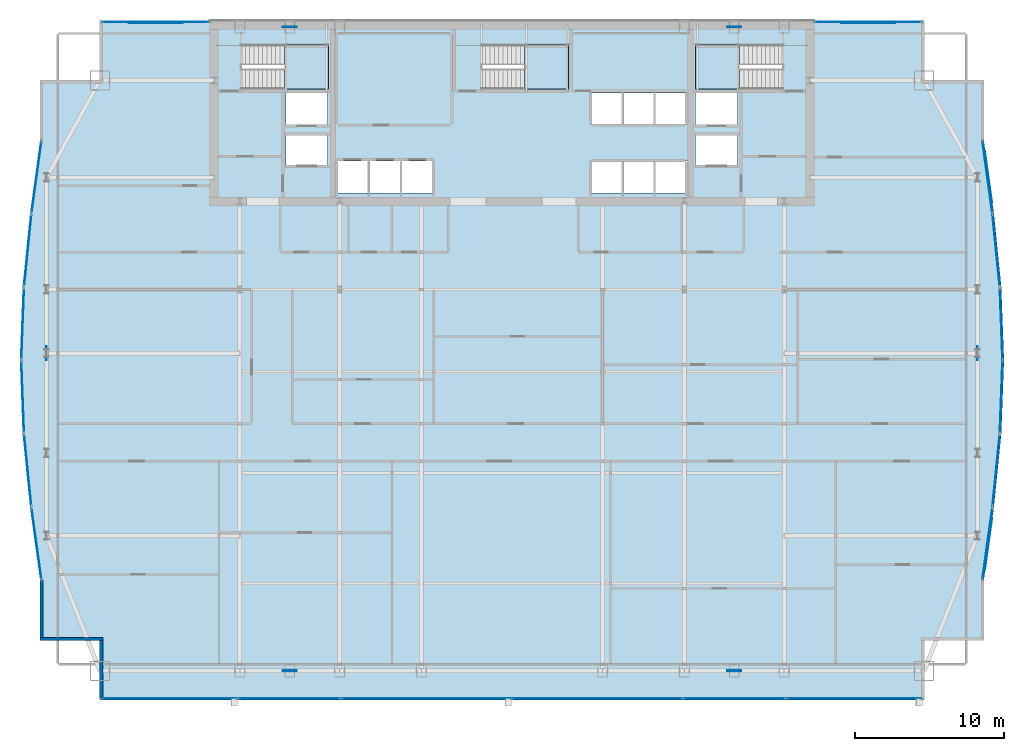
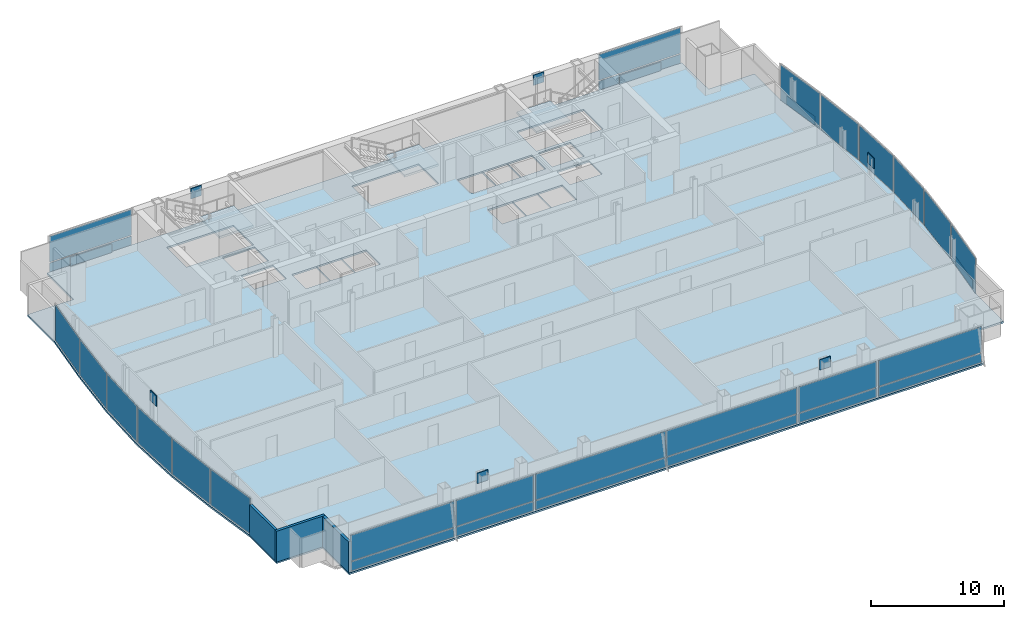
# One storey, part 23 of 29: 38 plates, 4 slabs, 3 walls, 22 elements without a shape of their own.
"""IFC4 building model written with IfcOpenShell, lengths in metres."""

from ifc_helpers import new_model, si_unit, direction, frame, frame_2d, origin, origin_2d, place, context, subcontext, project, spatial, polyline, rectangle, outline, extrude, material, layer, layer_set, type_object, element, aggregate, save


model = new_model("IFC4")

# Units and contexts
model_context = context("Model", 3, precision=1e-05, world=origin(), true_north=direction((0.0, 1.0)))
body_context = subcontext(model_context, "Body", "Model", "MODEL_VIEW")
ifc_project = project(units=[si_unit("LENGTHUNIT", "METRE"), si_unit("AREAUNIT", "SQUARE_METRE"), si_unit("VOLUMEUNIT", "CUBIC_METRE"), si_unit("PLANEANGLEUNIT", "RADIAN"), si_unit("MASSUNIT", "GRAM", prefix="KILO")], contexts=[model_context])

# Site, building, storey
site_placement = place(None, origin())
site = spatial("IfcSite", under=ifc_project, at=site_placement, CompositionType="ELEMENT")
building_placement = place(site_placement, origin())
building = spatial("IfcBuilding", under=site, at=building_placement, Name="Khoronbel Lancet Exchange", CompositionType="ELEMENT")
storey_placement = place(building_placement, frame((0.0, 0.0, 177.0)))
storey = spatial("IfcBuildingStorey", under=building, at=storey_placement, Name="L44", CompositionType="ELEMENT", Elevation=177.0)

# Curtain wall, plate
ifc_material_1 = material(Name="Low-E Solar Control Insulating Glass", Category="glass")
curtain_wall_type_1 = type_object("IfcCurtainWallType", Name="CW-4", PredefinedType="NOTDEFINED", material=ifc_material_1)
curtain_wall_1_placement = place(storey_placement, origin())
curtain_wall_1 = element("IfcCurtainWall", 1, at=curtain_wall_1_placement, inside=storey, type_object=curtain_wall_type_1, Name="Unitised curtain wall CW-L44-E05", PredefinedType="NOTDEFINED")
ifc_material_2 = material(Name="Bronze-Anodised Aluminium 6063-T6", Category="aluminium")
ifc_layer_1 = layer(ifc_material_2, 0.050048828125, Name="Bronze-Anodised Aluminium 6063-T6")
ifc_layer_set_1 = layer_set([ifc_layer_1], Name="Bronze-Anodised Aluminium 6063-T6")
plate_type_1 = type_object("IfcPlateType", Name="PLT-CSP1", PredefinedType="SHEET", material=ifc_layer_set_1)
plate_1_placement = place(storey_placement, frame((4.013916015625, 23.58349609375, 0.0849609375), z_axis=(0.0, 0.0, 1.0), x_axis=(-0.10040412412, 0.994946738202, 0.0)))
plate_1 = element("IfcPlate", 2, at=plate_1_placement, type_object=plate_type_1, Name="CW4 panel 1.1", PredefinedType="CURTAIN_PANEL", context=body_context, shape_type="SweptSolid", body=[
    extrude(rectangle(XDim=4.787109375, YDim=0.0380859375, at=origin_2d()), origin(), (0.0, 0.0, 1.0), 3.27001953125),
])
aggregate(curtain_wall_1, [plate_1])

curtain_wall_2_placement = place(storey_placement, origin())
curtain_wall_2 = element("IfcCurtainWall", 3, at=curtain_wall_2_placement, inside=storey, type_object=curtain_wall_type_1, Name="Unitised curtain wall CW-L44-E06", PredefinedType="NOTDEFINED")
plate_2_placement = place(storey_placement, frame((3.67529296875, 28.49462890625, 0.0849609375), z_axis=(0.0, 0.0, 1.0), x_axis=(-0.036895745143, 0.999319120197, 0.0)))
plate_2 = element("IfcPlate", 4, at=plate_2_placement, type_object=plate_type_1, Name="CW4 panel 1.1", PredefinedType="CURTAIN_PANEL", context=body_context, shape_type="SweptSolid", body=[
    extrude(rectangle(XDim=4.763916015625, YDim=0.0380859375, at=origin_2d()), origin(), (0.0, 0.0, 1.0), 3.27001953125),
])
aggregate(curtain_wall_2, [plate_2])

curtain_wall_3_placement = place(storey_placement, origin())
curtain_wall_3 = element("IfcCurtainWall", 5, at=curtain_wall_3_placement, inside=storey, type_object=curtain_wall_type_1, Name="Unitised curtain wall CW-L44-E07", PredefinedType="NOTDEFINED")
plate_3_placement = place(storey_placement, frame((3.67529296875, 33.4052734375, 0.0849609375), z_axis=(0.0, 0.0, 1.0), x_axis=(0.036895745143, 0.999319120197, 0.0)))
plate_3 = element("IfcPlate", 6, at=plate_3_placement, type_object=plate_type_1, Name="CW4 panel 1.1", PredefinedType="CURTAIN_PANEL", context=body_context, shape_type="SweptSolid", body=[
    extrude(rectangle(XDim=4.763916015625, YDim=0.0380859375, at=origin_2d()), origin(), (0.0, 0.0, 1.0), 3.27001953125),
])
aggregate(curtain_wall_3, [plate_3])

curtain_wall_4_placement = place(storey_placement, origin())
curtain_wall_4 = element("IfcCurtainWall", 7, at=curtain_wall_4_placement, inside=storey, type_object=curtain_wall_type_1, Name="Unitised curtain wall CW-L44-E08", PredefinedType="NOTDEFINED")
plate_4_placement = place(storey_placement, frame((4.013916015625, 38.316650390625, 0.0849609375), z_axis=(0.0, 0.0, 1.0), x_axis=(0.10040412412, 0.994946738202, 0.0)))
plate_4 = element("IfcPlate", 8, at=plate_4_placement, type_object=plate_type_1, Name="CW4 panel 1.1", PredefinedType="CURTAIN_PANEL", context=body_context, shape_type="SweptSolid", body=[
    extrude(rectangle(XDim=4.787109375, YDim=0.0380859375, at=origin_2d()), origin(), (0.0, 0.0, 1.0), 3.27001953125),
])
aggregate(curtain_wall_4, [plate_4])

curtain_wall_type_2 = type_object("IfcCurtainWallType", Name="CW-3", PredefinedType="NOTDEFINED", material=ifc_material_1)
curtain_wall_5_placement = place(storey_placement, origin())
curtain_wall_5 = element("IfcCurtainWall", 9, at=curtain_wall_5_placement, inside=storey, type_object=curtain_wall_type_2, Name="Unitised curtain wall CW-L44-NWFLK", PredefinedType="NOTDEFINED")
plate_5_placement = place(storey_placement, frame((12.580078125, 53.550048828125, 0.0498046875), z_axis=(0.0, 0.0, 1.0), x_axis=(-1.0, 0.0, 0.0)))
plate_5 = element("IfcPlate", 10, at=plate_5_placement, type_object=plate_type_1, Name="Insulated bronze spandrel cassette CW-L44-NWFLK", PredefinedType="SHEET", context=body_context, shape_type="SweptSolid", body=[
    extrude(rectangle(XDim=3.60009765625, YDim=0.050048828125, at=origin_2d()), origin(), (0.0, 0.0, 1.0), 0.800048828125),
])

curtain_wall_6_placement = place(storey_placement, origin())
curtain_wall_6 = element("IfcCurtainWall", 11, at=curtain_wall_6_placement, inside=storey, type_object=curtain_wall_type_2, Name="Unitised curtain wall CW-L44-NEFLK", PredefinedType="NOTDEFINED")
plate_6_placement = place(storey_placement, frame((60.320068359375, 53.550048828125, 0.0498046875), z_axis=(0.0, 0.0, 1.0), x_axis=(-1.0, 0.0, 0.0)))
plate_6 = element("IfcPlate", 12, at=plate_6_placement, type_object=plate_type_1, Name="Insulated bronze spandrel cassette CW-L44-NEFLK", PredefinedType="SHEET", context=body_context, shape_type="SweptSolid", body=[
    extrude(rectangle(XDim=3.60009765625, YDim=0.050048828125, at=origin_2d()), origin(), (0.0, 0.0, 1.0), 0.800048828125),
])

curtain_wall_7_placement = place(storey_placement, origin())
curtain_wall_7 = element("IfcCurtainWall", 13, at=curtain_wall_7_placement, inside=storey, type_object=curtain_wall_type_1, Name="Unitised curtain wall CW-L44-E17", PredefinedType="NOTDEFINED")
plate_7_placement = place(storey_placement, frame((68.3583984375, 43.241455078125, 0.0498046875), z_axis=(0.0, 0.0, 1.0), x_axis=(0.136541350639, -0.990634372292, 0.0)))
plate_7 = element("IfcPlate", 14, at=plate_7_placement, type_object=plate_type_1, Name="Insulated bronze spandrel cassette CW-L44-E17", PredefinedType="SHEET", context=body_context, shape_type="SweptSolid", body=[
    extrude(rectangle(XDim=3.477294921875, YDim=0.050048828125, at=origin_2d()), origin(), (0.0, 0.0, 1.0), 0.800048828125),
])

curtain_wall_8_placement = place(storey_placement, origin())
curtain_wall_8 = element("IfcCurtainWall", 15, at=curtain_wall_8_placement, inside=storey, type_object=curtain_wall_type_1, Name="Unitised curtain wall CW-L44-E18", PredefinedType="NOTDEFINED")
plate_8_placement = place(storey_placement, frame((68.88623046875, 38.316650390625, 0.0849609375), z_axis=(0.0, 0.0, 1.0), x_axis=(0.10040412412, -0.994946738202, 0.0)))
plate_8 = element("IfcPlate", 16, at=plate_8_placement, type_object=plate_type_1, Name="CW4 panel 1.1", PredefinedType="CURTAIN_PANEL", context=body_context, shape_type="SweptSolid", body=[
    extrude(rectangle(XDim=4.787109375, YDim=0.0380859375, at=origin_2d()), origin(), (0.0, 0.0, 1.0), 3.27001953125),
])
aggregate(curtain_wall_8, [plate_8])

curtain_wall_9_placement = place(storey_placement, origin())
curtain_wall_9 = element("IfcCurtainWall", 17, at=curtain_wall_9_placement, inside=storey, type_object=curtain_wall_type_1, Name="Unitised curtain wall CW-L44-E19", PredefinedType="NOTDEFINED")
plate_9_placement = place(storey_placement, frame((69.224609375, 33.4052734375, 0.0849609375), z_axis=(0.0, 0.0, 1.0), x_axis=(0.036895745143, -0.999319120197, 0.0)))
plate_9 = element("IfcPlate", 18, at=plate_9_placement, type_object=plate_type_1, Name="CW4 panel 1.1", PredefinedType="CURTAIN_PANEL", context=body_context, shape_type="SweptSolid", body=[
    extrude(rectangle(XDim=4.763916015625, YDim=0.0380859375, at=origin_2d()), origin(), (0.0, 0.0, 1.0), 3.27001953125),
])
aggregate(curtain_wall_9, [plate_9])

curtain_wall_10_placement = place(storey_placement, origin())
curtain_wall_10 = element("IfcCurtainWall", 19, at=curtain_wall_10_placement, inside=storey, type_object=curtain_wall_type_1, Name="Unitised curtain wall CW-L44-E20", PredefinedType="NOTDEFINED")
plate_10_placement = place(storey_placement, frame((69.224609375, 28.49462890625, 0.0849609375), z_axis=(0.0, 0.0, 1.0), x_axis=(-0.036895745143, -0.999319120197, 0.0)))
plate_10 = element("IfcPlate", 20, at=plate_10_placement, type_object=plate_type_1, Name="CW4 panel 1.1", PredefinedType="CURTAIN_PANEL", context=body_context, shape_type="SweptSolid", body=[
    extrude(rectangle(XDim=4.763916015625, YDim=0.0380859375, at=origin_2d()), origin(), (0.0, 0.0, 1.0), 3.27001953125),
])
aggregate(curtain_wall_10, [plate_10])

curtain_wall_11_placement = place(storey_placement, origin())
curtain_wall_11 = element("IfcCurtainWall", 21, at=curtain_wall_11_placement, inside=storey, type_object=curtain_wall_type_1, Name="Unitised curtain wall CW-L44-E21", PredefinedType="NOTDEFINED")
plate_11_placement = place(storey_placement, frame((68.88623046875, 23.58349609375, 0.0849609375), z_axis=(0.0, 0.0, 1.0), x_axis=(-0.10040412412, -0.994946738202, 0.0)))
plate_11 = element("IfcPlate", 22, at=plate_11_placement, type_object=plate_type_1, Name="CW4 panel 1.1", PredefinedType="CURTAIN_PANEL", context=body_context, shape_type="SweptSolid", body=[
    extrude(rectangle(XDim=4.787109375, YDim=0.0380859375, at=origin_2d()), origin(), (0.0, 0.0, 1.0), 3.27001953125),
])
aggregate(curtain_wall_11, [plate_11])

curtain_wall_12_placement = place(storey_placement, origin())
curtain_wall_12 = element("IfcCurtainWall", 23, at=curtain_wall_12_placement, inside=storey, type_object=curtain_wall_type_1, Name="Unitised curtain wall CW-L44-E22", PredefinedType="NOTDEFINED")
plate_12_placement = place(storey_placement, frame((68.3583984375, 18.65869140625, 0.0498046875), z_axis=(0.0, 0.0, 1.0), x_axis=(-0.136541350639, -0.990634372292, 0.0)))
plate_12 = element("IfcPlate", 24, at=plate_12_placement, type_object=plate_type_1, Name="Insulated bronze spandrel cassette CW-L44-E22", PredefinedType="SHEET", context=body_context, shape_type="SweptSolid", body=[
    extrude(rectangle(XDim=3.477294921875, YDim=0.050048828125, at=origin_2d()), origin(), (0.0, 0.0, 1.0), 0.800048828125),
])

# Curtain wall, plates
curtain_wall_13_placement = place(storey_placement, origin())
curtain_wall_13 = element("IfcCurtainWall", 25, at=curtain_wall_13_placement, inside=storey, type_object=curtain_wall_type_2, Name="Unitised curtain wall CW-L44-SWB", PredefinedType="NOTDEFINED")
plate_13_placement = place(storey_placement, frame((21.550048828125, 8.2900390625, 0.0849609375), z_axis=(0.0, 0.0, 1.0), x_axis=(1.0, 0.0, 0.0)))
plate_13 = element("IfcPlate", 26, at=plate_13_placement, type_object=plate_type_1, Name="CW3 panel 1.1", PredefinedType="CURTAIN_PANEL", context=body_context, shape_type="SweptSolid", body=[
    extrude(rectangle(XDim=6.72998046875, YDim=0.0380859375, at=origin_2d()), origin(), (0.0, 0.0, 1.0), 0.822509765625),
])
plate_14_placement = place(storey_placement, frame((21.550048828125, 8.2900390625, 0.99267578125), z_axis=(0.0, 0.0, 1.0), x_axis=(1.0, 0.0, 0.0)))
plate_14 = element("IfcPlate", 27, at=plate_14_placement, type_object=plate_type_1, Name="CW3 panel 1.2", PredefinedType="CURTAIN_PANEL", context=body_context, shape_type="SweptSolid", body=[
    extrude(rectangle(XDim=6.72998046875, YDim=0.0380859375, at=origin_2d()), origin(), (0.0, 0.0, 1.0), 2.362548828125),
])
aggregate(curtain_wall_13, [plate_13, plate_14])

curtain_wall_14_placement = place(storey_placement, origin())
curtain_wall_14 = element("IfcCurtainWall", 28, at=curtain_wall_14_placement, inside=storey, type_object=curtain_wall_type_2, Name="Unitised curtain wall CW-L44-SEB", PredefinedType="NOTDEFINED")
plate_15_placement = place(storey_placement, frame((51.35009765625, 8.2900390625, 0.0849609375), z_axis=(0.0, 0.0, 1.0), x_axis=(1.0, 0.0, 0.0)))
plate_15 = element("IfcPlate", 29, at=plate_15_placement, type_object=plate_type_1, Name="CW3 panel 1.1", PredefinedType="CURTAIN_PANEL", context=body_context, shape_type="SweptSolid", body=[
    extrude(rectangle(XDim=6.72998046875, YDim=0.0380859375, at=origin_2d()), origin(), (0.0, 0.0, 1.0), 0.822509765625),
])
plate_16_placement = place(storey_placement, frame((51.35009765625, 8.2900390625, 0.99267578125), z_axis=(0.0, 0.0, 1.0), x_axis=(1.0, 0.0, 0.0)))
plate_16 = element("IfcPlate", 30, at=plate_16_placement, type_object=plate_type_1, Name="CW3 panel 1.2", PredefinedType="CURTAIN_PANEL", context=body_context, shape_type="SweptSolid", body=[
    extrude(rectangle(XDim=6.72998046875, YDim=0.0380859375, at=origin_2d()), origin(), (0.0, 0.0, 1.0), 2.362548828125),
])
aggregate(curtain_wall_14, [plate_15, plate_16])

# Plate
ifc_layer_2 = layer(ifc_material_1, 0.035888671875, Name="Low-E Solar Control Insulating Glass")
ifc_layer_set_2 = layer_set([ifc_layer_2], Name="Low-E Solar Control Insulating Glass")
plate_type_2 = type_object("IfcPlateType", Name="PLT-CWP1", PredefinedType="CURTAIN_PANEL", material=ifc_layer_set_2)
plate_17_placement = place(storey_placement, frame((12.580078125, 53.610107421875, 0.0849609375), z_axis=(0.0, 0.0, 1.0), x_axis=(-1.0, 0.0, 0.0)))
plate_17 = element("IfcPlate", 31, at=plate_17_placement, type_object=plate_type_2, Name="CW3 panel 1.1", PredefinedType="CURTAIN_PANEL", context=body_context, shape_type="SweptSolid", body=[
    extrude(rectangle(XDim=7.110107421875, YDim=0.0380859375, at=origin_2d()), origin(), (0.0, 0.0, 1.0), 0.822509765625),
])

plate_18_placement = place(storey_placement, frame((12.580078125, 53.610107421875, 0.99267578125), z_axis=(0.0, 0.0, 1.0), x_axis=(-1.0, 0.0, 0.0)))
plate_18 = element("IfcPlate", 32, at=plate_18_placement, type_object=plate_type_2, Name="CW3 panel 1.2", PredefinedType="CURTAIN_PANEL", context=body_context, shape_type="SweptSolid", body=[
    extrude(rectangle(XDim=7.110107421875, YDim=0.0380859375, at=origin_2d()), origin(), (0.0, 0.0, 1.0), 2.362548828125),
])

aggregate(curtain_wall_5, [plate_17, plate_18, plate_5])

plate_19_placement = place(storey_placement, frame((60.320068359375, 53.610107421875, 0.0849609375), z_axis=(0.0, 0.0, 1.0), x_axis=(-1.0, 0.0, 0.0)))
plate_19 = element("IfcPlate", 33, at=plate_19_placement, type_object=plate_type_2, Name="CW3 panel 1.1", PredefinedType="CURTAIN_PANEL", context=body_context, shape_type="SweptSolid", body=[
    extrude(rectangle(XDim=7.110107421875, YDim=0.0380859375, at=origin_2d()), origin(), (0.0, 0.0, 1.0), 0.822509765625),
])

plate_20_placement = place(storey_placement, frame((60.320068359375, 53.610107421875, 0.99267578125), z_axis=(0.0, 0.0, 1.0), x_axis=(-1.0, 0.0, 0.0)))
plate_20 = element("IfcPlate", 34, at=plate_20_placement, type_object=plate_type_2, Name="CW3 panel 1.2", PredefinedType="CURTAIN_PANEL", context=body_context, shape_type="SweptSolid", body=[
    extrude(rectangle(XDim=7.110107421875, YDim=0.0380859375, at=origin_2d()), origin(), (0.0, 0.0, 1.0), 2.362548828125),
])

aggregate(curtain_wall_6, [plate_19, plate_20, plate_6])

# Curtain wall, plates
curtain_wall_15_placement = place(storey_placement, origin())
curtain_wall_15 = element("IfcCurtainWall", 35, at=curtain_wall_15_placement, inside=storey, type_object=curtain_wall_type_2, Name="Unitised curtain wall CW-L44-SWV", PredefinedType="NOTDEFINED")
plate_21_placement = place(storey_placement, frame((13.52001953125, 8.2900390625, 0.0849609375), z_axis=(0.0, 0.0, 1.0), x_axis=(1.0, 0.0, 0.0)))
plate_21 = element("IfcPlate", 36, at=plate_21_placement, type_object=plate_type_2, Name="CW3 panel 1.1", PredefinedType="CURTAIN_PANEL", context=body_context, shape_type="SweptSolid", body=[
    extrude(rectangle(XDim=8.989990234375, YDim=0.0380859375, at=origin_2d()), origin(), (0.0, 0.0, 1.0), 0.822509765625),
])
plate_22_placement = place(storey_placement, frame((13.52001953125, 8.2900390625, 0.99267578125), z_axis=(0.0, 0.0, 1.0), x_axis=(1.0, 0.0, 0.0)))
plate_22 = element("IfcPlate", 37, at=plate_22_placement, type_object=plate_type_2, Name="CW3 panel 1.2", PredefinedType="CURTAIN_PANEL", context=body_context, shape_type="SweptSolid", body=[
    extrude(rectangle(XDim=8.989990234375, YDim=0.0380859375, at=origin_2d()), origin(), (0.0, 0.0, 1.0), 2.362548828125),
])
aggregate(curtain_wall_15, [plate_21, plate_22])

curtain_wall_16_placement = place(storey_placement, origin())
curtain_wall_16 = element("IfcCurtainWall", 38, at=curtain_wall_16_placement, inside=storey, type_object=curtain_wall_type_2, Name="Unitised curtain wall CW-L44-SCV", PredefinedType="NOTDEFINED")
plate_23_placement = place(storey_placement, frame((30.746337890625, 8.2900390625, 0.0849609375), z_axis=(0.0, 0.0, 1.0), x_axis=(1.0, 0.0, 0.0)))
plate_23 = element("IfcPlate", 39, at=plate_23_placement, type_object=plate_type_2, Name="CW3 panel 1.1", PredefinedType="CURTAIN_PANEL", context=body_context, shape_type="SweptSolid", body=[
    extrude(rectangle(XDim=11.322509765625, YDim=0.0380859375, at=origin_2d()), origin(), (0.0, 0.0, 1.0), 0.822509765625),
])
plate_24_placement = place(storey_placement, frame((30.746337890625, 8.2900390625, 0.99267578125), z_axis=(0.0, 0.0, 1.0), x_axis=(1.0, 0.0, 0.0)))
plate_24 = element("IfcPlate", 40, at=plate_24_placement, type_object=plate_type_2, Name="CW3 panel 1.2", PredefinedType="CURTAIN_PANEL", context=body_context, shape_type="SweptSolid", body=[
    extrude(rectangle(XDim=11.322509765625, YDim=0.0380859375, at=origin_2d()), origin(), (0.0, 0.0, 1.0), 2.362548828125),
])
plate_25_placement = place(storey_placement, frame((42.15380859375, 8.2900390625, 0.0849609375), z_axis=(0.0, 0.0, 1.0), x_axis=(1.0, 0.0, 0.0)))
plate_25 = element("IfcPlate", 41, at=plate_25_placement, type_object=plate_type_2, Name="CW3 panel 2.1", PredefinedType="CURTAIN_PANEL", context=body_context, shape_type="SweptSolid", body=[
    extrude(rectangle(XDim=11.322509765625, YDim=0.0380859375, at=origin_2d()), origin(), (0.0, 0.0, 1.0), 0.822509765625),
])
plate_26_placement = place(storey_placement, frame((42.15380859375, 8.2900390625, 0.99267578125), z_axis=(0.0, 0.0, 1.0), x_axis=(1.0, 0.0, 0.0)))
plate_26 = element("IfcPlate", 42, at=plate_26_placement, type_object=plate_type_2, Name="CW3 panel 2.2", PredefinedType="CURTAIN_PANEL", context=body_context, shape_type="SweptSolid", body=[
    extrude(rectangle(XDim=11.322509765625, YDim=0.0380859375, at=origin_2d()), origin(), (0.0, 0.0, 1.0), 2.362548828125),
])
aggregate(curtain_wall_16, [plate_23, plate_24, plate_25, plate_26])

curtain_wall_17_placement = place(storey_placement, origin())
curtain_wall_17 = element("IfcCurtainWall", 43, at=curtain_wall_17_placement, inside=storey, type_object=curtain_wall_type_2, Name="Unitised curtain wall CW-L44-SEV", PredefinedType="NOTDEFINED")
plate_27_placement = place(storey_placement, frame((59.3798828125, 8.2900390625, 0.0849609375), z_axis=(0.0, 0.0, 1.0), x_axis=(1.0, 0.0, 0.0)))
plate_27 = element("IfcPlate", 44, at=plate_27_placement, type_object=plate_type_2, Name="CW3 panel 1.1", PredefinedType="CURTAIN_PANEL", context=body_context, shape_type="SweptSolid", body=[
    extrude(rectangle(XDim=8.989990234375, YDim=0.0380859375, at=origin_2d()), origin(), (0.0, 0.0, 1.0), 0.822509765625),
])
plate_28_placement = place(storey_placement, frame((59.3798828125, 8.2900390625, 0.99267578125), z_axis=(0.0, 0.0, 1.0), x_axis=(1.0, 0.0, 0.0)))
plate_28 = element("IfcPlate", 45, at=plate_28_placement, type_object=plate_type_2, Name="CW3 panel 1.2", PredefinedType="CURTAIN_PANEL", context=body_context, shape_type="SweptSolid", body=[
    extrude(rectangle(XDim=8.989990234375, YDim=0.0380859375, at=origin_2d()), origin(), (0.0, 0.0, 1.0), 2.362548828125),
])
aggregate(curtain_wall_17, [plate_27, plate_28])

# Curtain wall, plate
curtain_wall_18_placement = place(storey_placement, origin())
curtain_wall_18 = element("IfcCurtainWall", 46, at=curtain_wall_18_placement, inside=storey, type_object=curtain_wall_type_1, Name="Unitised curtain wall CW-L44-E04", PredefinedType="NOTDEFINED")
ifc_material_3 = material(Name="Ceramic-Fritted Laminated Insulating Glass", Category="glass")
ifc_layer_3 = layer(ifc_material_3, 0.0419921875, Name="Ceramic-Fritted Laminated Insulating Glass")
ifc_layer_set_3 = layer_set([ifc_layer_3], Name="Ceramic-Fritted Laminated Insulating Glass")
plate_type_3 = type_object("IfcPlateType", Name="PLT-CWP2", PredefinedType="CURTAIN_PANEL", material=ifc_layer_set_3)
plate_29_placement = place(storey_placement, frame((4.600830078125, 18.666748046875, 0.0849609375), z_axis=(0.0, 0.0, 1.0), x_axis=(-0.136541350639, 0.990634372292, 0.0)))
plate_29 = element("IfcPlate", 47, at=plate_29_placement, type_object=plate_type_3, Name="CW4 panel 1.1", PredefinedType="CURTAIN_PANEL", context=body_context, shape_type="SweptSolid", body=[
    extrude(rectangle(XDim=4.817626953125, YDim=0.0380859375, at=origin_2d()), origin(), (0.0, 0.0, 1.0), 3.27001953125),
])
aggregate(curtain_wall_18, [plate_29])

curtain_wall_19_placement = place(storey_placement, origin())
curtain_wall_19 = element("IfcCurtainWall", 48, at=curtain_wall_19_placement, inside=storey, type_object=curtain_wall_type_1, Name="Unitised curtain wall CW-L44-E09", PredefinedType="NOTDEFINED")
plate_30_placement = place(storey_placement, frame((4.600830078125, 43.233154296875, 0.0849609375), z_axis=(0.0, 0.0, 1.0), x_axis=(0.136541350639, 0.990634372292, 0.0)))
plate_30 = element("IfcPlate", 49, at=plate_30_placement, type_object=plate_type_3, Name="CW4 panel 1.1", PredefinedType="CURTAIN_PANEL", context=body_context, shape_type="SweptSolid", body=[
    extrude(rectangle(XDim=4.817626953125, YDim=0.0380859375, at=origin_2d()), origin(), (0.0, 0.0, 1.0), 3.27001953125),
])
aggregate(curtain_wall_19, [plate_30])

# Plate
plate_31_placement = place(storey_placement, frame((68.299072265625, 43.233154296875, 0.0849609375), z_axis=(0.0, 0.0, 1.0), x_axis=(0.136541350639, -0.990634372292, 0.0)))
plate_31 = element("IfcPlate", 50, at=plate_31_placement, type_object=plate_type_3, Name="CW4 panel 1.1", PredefinedType="CURTAIN_PANEL", context=body_context, shape_type="SweptSolid", body=[
    extrude(rectangle(XDim=4.817626953125, YDim=0.0380859375, at=origin_2d()), origin(), (0.0, 0.0, 1.0), 3.27001953125),
])

aggregate(curtain_wall_7, [plate_31, plate_7])

plate_32_placement = place(storey_placement, frame((68.299072265625, 18.666748046875, 0.0849609375), z_axis=(0.0, 0.0, 1.0), x_axis=(-0.136541350639, -0.990634372292, 0.0)))
plate_32 = element("IfcPlate", 51, at=plate_32_placement, type_object=plate_type_3, Name="CW4 panel 1.1", PredefinedType="CURTAIN_PANEL", context=body_context, shape_type="SweptSolid", body=[
    extrude(rectangle(XDim=4.817626953125, YDim=0.0380859375, at=origin_2d()), origin(), (0.0, 0.0, 1.0), 3.27001953125),
])

aggregate(curtain_wall_12, [plate_32, plate_12])

# Plates
ifc_material_4 = material(Name="Steel S460", Category="steel")
ifc_layer_4 = layer(ifc_material_4, 0.06005859375, Name="Steel S460")
ifc_layer_set_4 = layer_set([ifc_layer_4], Name="Steel S460")
plate_type_4 = type_object("IfcPlateType", Name="PLT-ND2", PredefinedType="USERDEFINED", material=ifc_layer_set_4)
for number, where, z_axis, x_axis, name in (
    (52, (21.5625, 10.14990234375, 2.77490234375), (0.0, 0.0, 1.0), (1.0, 0.0, 0.0), "ND2 perimeter brace node gusset T14-S-W"),
    (53, (51.33740234375, 10.14990234375, 2.77490234375), (0.0, 0.0, 1.0), (1.0, 0.0, 0.0), "ND2 perimeter brace node gusset T14-S-E"),
    (54, (21.5625, 53.280029296875, 2.77490234375), (0.0, 0.0, 1.0), (1.0, 0.0, 0.0), "ND2 perimeter brace node gusset T14-N-W"),
    (55, (51.33740234375, 53.280029296875, 2.77490234375), (0.0, 0.0, 1.0), (1.0, 0.0, 0.0), "ND2 perimeter brace node gusset T14-N-E"),
    (56, (5.27001953125, 31.425048828125, 2.77490234375), (0.0, 0.0, 1.0), (0.0, 1.0, 0.0), "ND2 perimeter brace node gusset T14-W-P"),
    (57, (67.6298828125, 31.425048828125, 2.77490234375), (0.0, 0.0, 1.0), (0.0, 1.0, 0.0), "ND2 perimeter brace node gusset T14-E-P"),
):
    element("IfcPlate", number, at=place(storey_placement, frame(where, z_axis=z_axis, x_axis=x_axis)), inside=storey, type_object=plate_type_4, Name=name, ObjectType="GUSSET_PLATE", PredefinedType="USERDEFINED", context=body_context, shape_type="SweptSolid", body=[
        extrude(rectangle(XDim=0.949951171875, YDim=0.06005859375, at=origin_2d()), origin(), (0.0, 0.0, 1.0), 0.949951171875),
    ])

# Slab
ifc_material_5 = material(Name="Concrete C40/50", Category="concrete")
ifc_layer_5 = layer(ifc_material_5, 0.159912109375, Name="Concrete C40/50")
ifc_layer_set_5 = layer_set([ifc_layer_5], Name="Concrete C40/50")
slab_type_1 = type_object("IfcSlabType", Name="SL-FL160", PredefinedType="FLOOR", material=ifc_layer_set_5)
slab_1_placement = place(storey_placement, frame((0.0, 0.0, -0.159912109375)))
element("IfcSlab", 58, at=slab_1_placement, inside=storey, type_object=slab_type_1, Name="Level L44 composite structural floor slab", PredefinedType="FLOOR", context=body_context, shape_type="SweptSolid", body=[
    extrude(outline(polyline([(8.85009765625, 8.199951171875), (64.050048828125, 8.199951171875), (64.050048828125, 12.199951171875), (68.050048828125, 12.199951171875), (68.050048828125, 16.199951171875), (68.727783203125, 21.11669921875), (69.223876953125, 26.033203125), (69.405517578125, 30.949951171875), (69.223876953125, 35.86669921875), (68.727783203125, 40.783203125), (68.050048828125, 45.699951171875), (68.050048828125, 49.699951171875), (64.050048828125, 49.699951171875), (64.050048828125, 53.699951171875), (8.85009765625, 53.699951171875), (8.85009765625, 49.699951171875), (4.85009765625, 49.699951171875), (4.85009765625, 45.699951171875), (4.17236328125, 40.783203125), (3.67626953125, 35.86669921875), (3.49462890625, 30.949951171875), (3.67626953125, 26.033203125), (4.17236328125, 21.11669921875), (4.85009765625, 16.199951171875), (4.85009765625, 12.199951171875), (8.85009765625, 12.199951171875), (8.85009765625, 8.199951171875)]), holes=[polyline([(18.324951171875, 49.1201171875), (24.14990234375, 49.1201171875), (24.14990234375, 52.10009765625), (18.324951171875, 52.10009765625), (18.324951171875, 49.1201171875)]), polyline([(48.75, 49.1201171875), (54.574951171875, 49.1201171875), (54.574951171875, 52.10009765625), (48.75, 52.10009765625), (48.75, 49.1201171875)]), polyline([(34.425048828125, 49.1201171875), (40.25, 49.1201171875), (40.25, 52.10009765625), (34.425048828125, 52.10009765625), (34.425048828125, 49.1201171875)]), polyline([(24.699951171875, 42.14990234375), (26.840087890625, 42.14990234375), (26.840087890625, 44.300048828125), (24.699951171875, 44.300048828125), (24.699951171875, 42.14990234375)]), polyline([(26.860107421875, 42.14990234375), (29.0, 42.14990234375), (29.0, 44.300048828125), (26.860107421875, 44.300048828125), (26.860107421875, 42.14990234375)]), polyline([(29.02001953125, 42.14990234375), (31.159912109375, 42.14990234375), (31.159912109375, 44.300048828125), (29.02001953125, 44.300048828125), (29.02001953125, 42.14990234375)]), polyline([(41.739990234375, 46.75), (43.8798828125, 46.75), (43.8798828125, 48.85009765625), (41.739990234375, 48.85009765625), (41.739990234375, 46.75)]), polyline([(43.89990234375, 46.75), (46.0400390625, 46.75), (46.0400390625, 48.85009765625), (43.89990234375, 48.85009765625), (43.89990234375, 46.75)]), polyline([(46.06005859375, 46.75), (48.199951171875, 46.75), (48.199951171875, 48.85009765625), (46.06005859375, 48.85009765625), (46.06005859375, 46.75)]), polyline([(41.739990234375, 42.14990234375), (43.8798828125, 42.14990234375), (43.8798828125, 44.300048828125), (41.739990234375, 44.300048828125), (41.739990234375, 42.14990234375)]), polyline([(43.89990234375, 42.14990234375), (46.0400390625, 42.14990234375), (46.0400390625, 44.300048828125), (43.89990234375, 44.300048828125), (43.89990234375, 42.14990234375)]), polyline([(46.06005859375, 42.14990234375), (48.199951171875, 42.14990234375), (48.199951171875, 44.300048828125), (46.06005859375, 44.300048828125), (46.06005859375, 42.14990234375)]), polyline([(21.300048828125, 46.75), (24.10009765625, 46.75), (24.10009765625, 48.85009765625), (21.300048828125, 48.85009765625), (21.300048828125, 46.75)]), polyline([(48.75, 46.75), (51.550048828125, 46.75), (51.550048828125, 48.85009765625), (48.75, 48.85009765625), (48.75, 46.75)]), polyline([(21.300048828125, 44.050048828125), (24.10009765625, 44.050048828125), (24.10009765625, 46.050048828125), (21.300048828125, 46.050048828125), (21.300048828125, 44.050048828125)]), polyline([(48.75, 44.050048828125), (51.550048828125, 44.050048828125), (51.550048828125, 46.050048828125), (48.75, 46.050048828125), (48.75, 44.050048828125)])]), origin(), (0.0, 0.0, 1.0), 0.159912109375),
])

# Stair, slab
stair_type = type_object("IfcStairType", Name="STR-CORE150", PredefinedType="HALF_TURN_STAIR", material=ifc_material_5)
stair_1_placement = place(storey_placement, origin())
stair_1 = element("IfcStair", 59, at=stair_1_placement, inside=storey, type_object=stair_type, Name="L44 Protected Exit Stair ST1", PredefinedType="HALF_TURN_STAIR")
ifc_layer_6 = layer(ifc_material_5, 0.199951171875, Name="Concrete C40/50")
ifc_layer_set_6 = layer_set([ifc_layer_6], Name="Concrete C40/50")
slab_type_2 = type_object("IfcSlabType", Name="SL-LND180", PredefinedType="LANDING", material=ifc_layer_set_6)
slab_2_placement = place(storey_placement, frame((0.0, 0.0, 1.60009765625)))
slab_2 = element("IfcSlab", 60, at=slab_2_placement, type_object=slab_type_2, Name="ST1 landing 1", PredefinedType="LANDING", context=body_context, shape_type="SweptSolid", body=[
    extrude(outline(polyline([(21.199951171875, 49.1201171875), (24.14990234375, 49.1201171875), (24.14990234375, 52.10009765625), (21.199951171875, 52.10009765625), (21.199951171875, 49.1201171875)])), origin(), (0.0, 0.0, 1.0), 0.199951171875),
])
aggregate(stair_1, [slab_2])

stair_2_placement = place(storey_placement, origin())
stair_2 = element("IfcStair", 61, at=stair_2_placement, inside=storey, type_object=stair_type, Name="L44 Protected Exit Stair ST2", PredefinedType="HALF_TURN_STAIR")
slab_3_placement = place(storey_placement, frame((0.0, 0.0, 1.60009765625)))
slab_3 = element("IfcSlab", 62, at=slab_3_placement, type_object=slab_type_2, Name="ST2 landing 1", PredefinedType="LANDING", context=body_context, shape_type="SweptSolid", body=[
    extrude(outline(polyline([(51.699951171875, 52.10009765625), (48.75, 52.10009765625), (48.75, 49.1201171875), (51.699951171875, 49.1201171875), (51.699951171875, 52.10009765625)])), origin(), (0.0, 0.0, 1.0), 0.199951171875),
])
aggregate(stair_2, [slab_3])

stair_3_placement = place(storey_placement, origin())
stair_3 = element("IfcStair", 63, at=stair_3_placement, inside=storey, type_object=stair_type, Name="L44 Protected Exit Stair ST3", PredefinedType="HALF_TURN_STAIR")
slab_4_placement = place(storey_placement, frame((0.0, 0.0, 1.60009765625)))
slab_4 = element("IfcSlab", 64, at=slab_4_placement, type_object=slab_type_2, Name="ST3 landing 1", PredefinedType="LANDING", context=body_context, shape_type="SweptSolid", body=[
    extrude(outline(polyline([(37.300048828125, 49.1201171875), (40.25, 49.1201171875), (40.25, 52.10009765625), (37.300048828125, 52.10009765625), (37.300048828125, 49.1201171875)])), origin(), (0.0, 0.0, 1.0), 0.199951171875),
])
aggregate(stair_3, [slab_4])

# Walls
ifc_material_6 = material(Name="Precast concrete C40/50", Category="concrete")
ifc_layer_7 = layer(ifc_material_6, 0.25, Name="Precast concrete C40/50")
ifc_layer_set_7 = layer_set([ifc_layer_7], Name="Precast concrete C40/50")
wall_type = type_object("IfcWallType", Name="WL-EXT250", PredefinedType="SOLIDWALL", material=ifc_layer_set_7)
wall_1_placement = place(storey_placement, frame((8.93994140625, 8.27001953125, 0.0), z_axis=(0.0, 0.0, 1.0), x_axis=(0.0, 1.0, 0.0)))
element("IfcWall", 65, at=wall_1_placement, inside=storey, type_object=wall_type, Name="Level L44 notched-corner limestone pier 01", PredefinedType="SOLIDWALL", context=body_context, shape_type="SweptSolid", body=[
    extrude(rectangle(XDim=3.909912109375, YDim=0.219970703125, at=frame_2d((1.955078125, 0.0))), origin(), (0.0, 0.0, 1.0), 2.830078125),
])
wall_2_placement = place(storey_placement, frame((9.050048828125, 12.2900390625, 0.0), z_axis=(0.0, 0.0, 1.0), x_axis=(-1.0, 0.0, 0.0)))
element("IfcWall", 66, at=wall_2_placement, inside=storey, type_object=wall_type, Name="Level L44 notched-corner limestone pier 02", PredefinedType="SOLIDWALL", context=body_context, shape_type="SweptSolid", body=[
    extrude(rectangle(XDim=4.219970703125, YDim=0.219970703125, at=frame_2d((2.10986328125, 0.0))), origin(), (0.0, 0.0, 1.0), 2.830078125),
])
wall_3_placement = place(storey_placement, frame((4.93994140625, 12.39990234375, 0.0), z_axis=(0.0, 0.0, 1.0), x_axis=(0.0, 1.0, 0.0)))
element("IfcWall", 67, at=wall_3_placement, inside=storey, type_object=wall_type, Name="Level L44 notched-corner limestone pier 03", PredefinedType="SOLIDWALL", context=body_context, shape_type="SweptSolid", body=[
    extrude(rectangle(XDim=3.826416015625, YDim=0.219970703125, at=frame_2d((1.9130859375, 0.0))), origin(), (0.0, 0.0, 1.0), 2.830078125),
])

save(model, "model.ifc")
